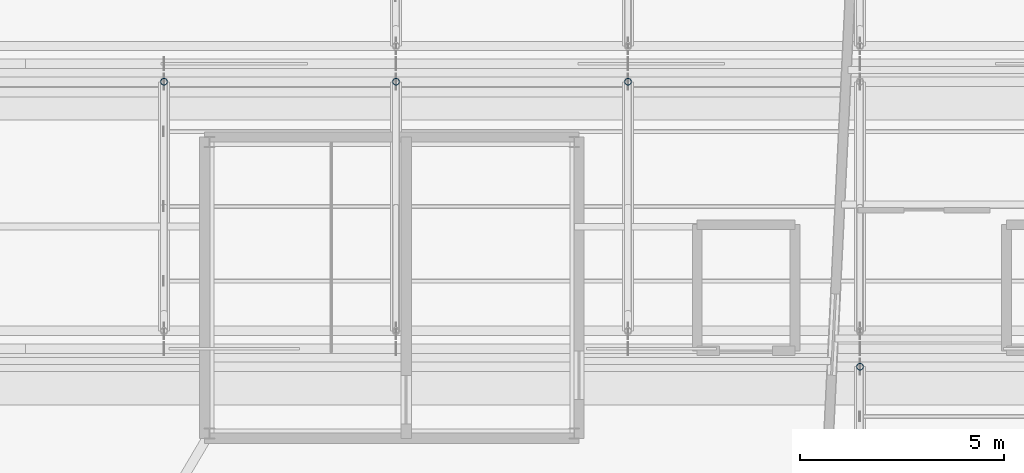
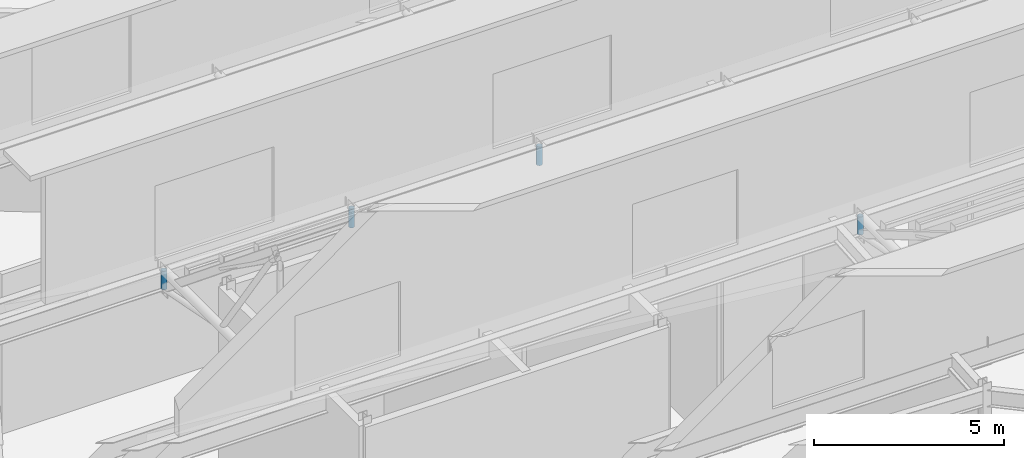
# One storey, part 38 of 55: 4 members.
"""IFC4 building model written with IfcOpenShell, lengths in metres."""

from ifc_helpers import new_model, si_unit, direction, frame, origin, origin_2d, place, context, subcontext, project, spatial, hollow_circle, extrude, material, material_profile, profile_set, type_object, element, save


model = new_model("IFC4")

# Units and contexts
model_context = context("Model", 3, precision=1e-05, world=origin(), true_north=direction((0.0, 1.0)))
body_context = subcontext(model_context, "Body", "Model", "MODEL_VIEW")
ifc_project = project(units=[si_unit("LENGTHUNIT", "METRE"), si_unit("AREAUNIT", "SQUARE_METRE"), si_unit("VOLUMEUNIT", "CUBIC_METRE"), si_unit("PLANEANGLEUNIT", "RADIAN"), si_unit("MASSUNIT", "GRAM", prefix="KILO")], contexts=[model_context])

# Site, building, storey
site_placement = place(None, origin())
site = spatial("IfcSite", under=ifc_project, at=site_placement, CompositionType="ELEMENT")
building_placement = place(site_placement, origin())
building = spatial("IfcBuilding", under=site, at=building_placement, Name="Tameran Prism Museum", CompositionType="ELEMENT")
storey_placement = place(building_placement, frame((0.0, 0.0, 28.800048828125)))
storey = spatial("IfcBuildingStorey", under=building, at=storey_placement, Name="L05", CompositionType="ELEMENT", Elevation=28.800048828125)

# Members
ifc_material = material(Name="Steel Grade C350L0 (350 MPa)", Category="steel")
ifc_material_profile = material_profile(ifc_material, hollow_circle(Radius=0.084228515625, WallThickness=0.007080078125, at=origin_2d()))
ifc_profile_set = profile_set([ifc_material_profile])
member_type = type_object("IfcMemberType", Name="MM-BR-CHS168", PredefinedType="BRACE", material=ifc_profile_set)
member_placement = place(storey_placement, frame((119.0, 79.06005859375, 6.385986328125), z_axis=(0.0, 0.0, -1.0), x_axis=(1.0, 0.0, 0.0)))
element("IfcMember", 1, at=member_placement, inside=storey, type_object=member_type, Name="Sawtooth Brace STM-0004", PredefinedType="BRACE", context=body_context, shape_type="SweptSolid", body=[
    extrude(hollow_circle(Radius=0.084228515625, WallThickness=0.007080078125, at=origin_2d()), origin(), (0.0, 0.0, 1.0), 0.5771484375),
])
for number, where, z_axis, x_axis, name in (
    (2, (101.89990234375, 86.06005859375, 6.385986328125), (0.0, 0.0, -1.0), (1.0, 0.0, 0.0), "Sawtooth Brace STM-0032"),
    (3, (107.60009765625, 86.06005859375, 6.385986328125), (0.0, 0.0, -1.0), (1.0, 0.0, 0.0), "Sawtooth Brace STM-0039"),
    (4, (113.300048828125, 86.06005859375, 6.385986328125), (0.0, 0.0, -1.0), (1.0, 0.0, 0.0), "Sawtooth Brace STM-0046"),
):
    element("IfcMember", number, at=place(storey_placement, frame(where, z_axis=z_axis, x_axis=x_axis)), inside=storey, type_object=member_type, Name=name, PredefinedType="BRACE", context=body_context, shape_type="SweptSolid", body=[
        extrude(hollow_circle(Radius=0.084228515625, WallThickness=0.007080078125, at=origin_2d()), origin(), (0.0, 0.0, 1.0), 0.59814453125),
    ])

save(model, "model.ifc")
